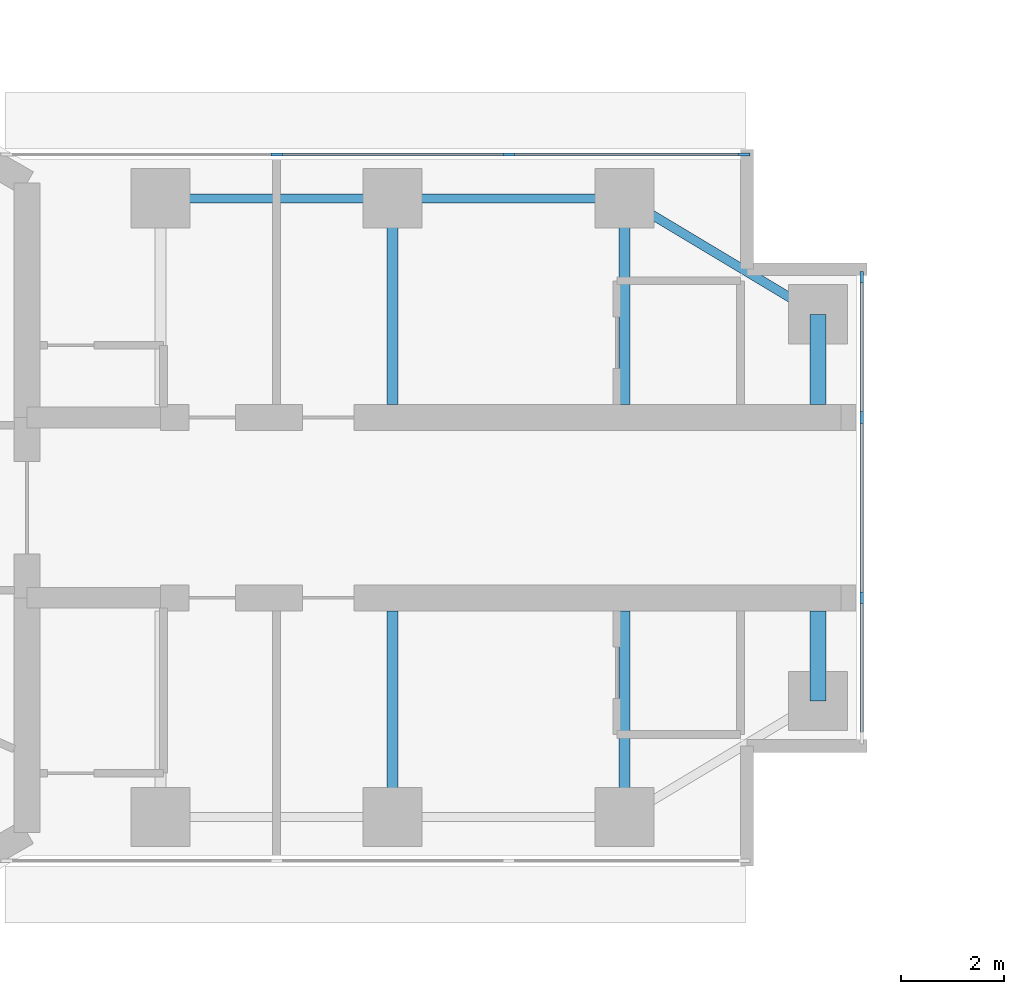
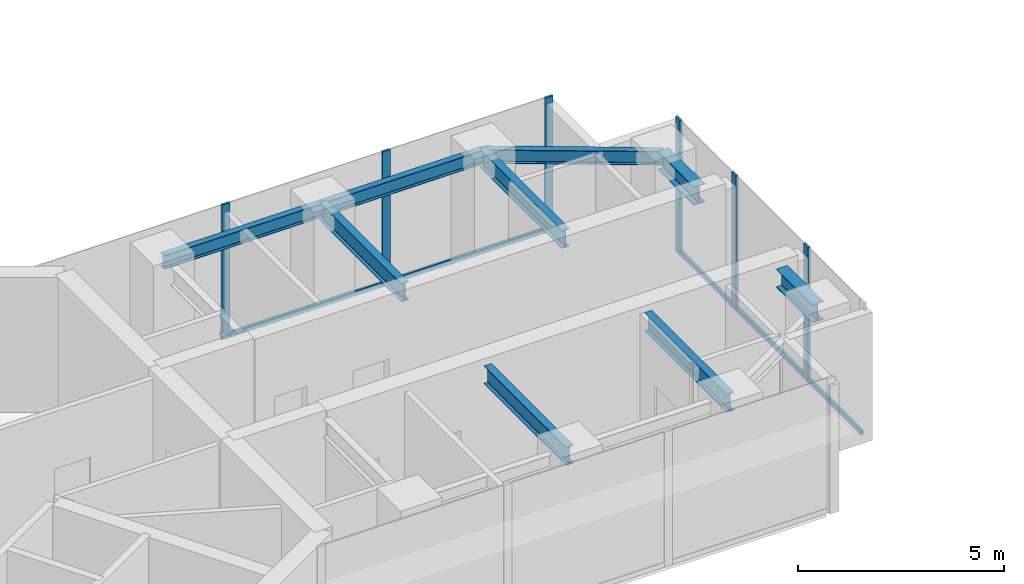
# One storey, part 7 of 17: 11 members, 9 beams, 2 elements without a shape of their own.
"""IFC4 building model written with IfcOpenShell, lengths in metres."""

from ifc_helpers import new_model, si_unit, direction, frame, origin, origin_2d, place, context, subcontext, project, spatial, rectangle, i_section, extrude, material, material_profile, profile_set, type_object, element, aggregate, save


model = new_model("IFC4")

# Units and contexts
model_context = context("Model", 3, precision=1e-05, world=origin(), true_north=direction((0.0, 1.0)))
body_context = subcontext(model_context, "Body", "Model", "MODEL_VIEW")
ifc_project = project(units=[si_unit("LENGTHUNIT", "METRE"), si_unit("AREAUNIT", "SQUARE_METRE"), si_unit("VOLUMEUNIT", "CUBIC_METRE"), si_unit("PLANEANGLEUNIT", "RADIAN"), si_unit("MASSUNIT", "GRAM", prefix="KILO")], contexts=[model_context])

# Site, building, storey
site_placement = place(None, origin())
site = spatial("IfcSite", under=ifc_project, at=site_placement, CompositionType="ELEMENT")
building_placement = place(site_placement, origin())
building = spatial("IfcBuilding", under=site, at=building_placement, Name="Upepo Twin Towers", CompositionType="ELEMENT")
storey_placement = place(building_placement, frame((0.0, 0.0, 202.5)))
storey = spatial("IfcBuildingStorey", under=building, at=storey_placement, Name="L49", CompositionType="ELEMENT", Elevation=202.5)

# Beams
ifc_material_1 = material(Name="Steel S355", Category="steel")
ifc_material_profile_1 = material_profile(ifc_material_1, i_section(OverallWidth=0.177978515625, OverallDepth=0.406494140625, WebThickness=0.0078125, FlangeThickness=0.0126953125, FilletRadius=0.01025390625, at=origin_2d()), Name="UB 406x178x60")
ifc_profile_set_1 = profile_set([ifc_material_profile_1], Name="Steel S355")
beam_type_1 = type_object("IfcBeamType", Name="Beam UB 406x178x60", PredefinedType="BEAM", material=ifc_profile_set_1)
for number, where, z_axis, x_axis, name in (
    (1, (13.5, 6.0, 3.5966796875), (1.0, 0.0, 0.0), (0.0, 1.0, 0.0), "T1 edge beam AL 13.5-18.0"),
    (2, (18.0, 6.0, 3.5966796875), (1.0, 0.0, 0.0), (0.0, 1.0, 0.0), "T1 edge beam AL 18.0-22.5"),
):
    element("IfcBeam", number, at=place(storey_placement, frame(where, z_axis=z_axis, x_axis=x_axis)), inside=storey, type_object=beam_type_1, Name=name, PredefinedType="BEAM", context=body_context, shape_type="SweptSolid", body=[
        extrude(i_section(OverallWidth=0.177978515625, OverallDepth=0.406494140625, WebThickness=0.0078125, FlangeThickness=0.0126953125, FilletRadius=0.01025390625, at=origin_2d()), origin(), (0.0, 0.0, 1.0), 4.5),
    ])
beam_placement = place(storey_placement, frame((22.5, 6.0, 3.5966796875), z_axis=(0.857492925713, -0.514495755428, 0.0), x_axis=(0.514495755428, 0.857492925713, 0.0)))
element("IfcBeam", 3, at=beam_placement, inside=storey, type_object=beam_type_1, Name="T1 nose edge beam AL", PredefinedType="BEAM", context=body_context, shape_type="SweptSolid", body=[
    extrude(i_section(OverallWidth=0.177978515625, OverallDepth=0.406494140625, WebThickness=0.0078125, FlangeThickness=0.0126953125, FilletRadius=0.01025390625, at=origin_2d()), origin(), (0.0, 0.0, 1.0), 4.373291015625),
])
ifc_material_2 = material(Name="Steel S355", Category="steel")
ifc_material_profile_2 = material_profile(ifc_material_2, i_section(OverallWidth=0.209228515625, OverallDepth=0.533203125, WebThickness=0.010009765625, FlangeThickness=0.015625, FilletRadius=0.0126953125, at=origin_2d()), Name="UB 533x210x92")
ifc_profile_set_2 = profile_set([ifc_material_profile_2], Name="Steel S355")
beam_type_2 = type_object("IfcBeamType", Name="Beam UB 533x210x92", PredefinedType="BEAM", material=ifc_profile_set_2)
for number, where, z_axis, x_axis, name in (
    (4, (18.0, 6.0, 3.533447265625), (0.0, -1.0, 0.0), (1.0, 0.0, 0.0), "T1 girder AL at 18.0"),
    (5, (22.5, 6.0, 3.533447265625), (0.0, -1.0, 0.0), (1.0, 0.0, 0.0), "T1 girder AL at 22.5"),
    (6, (18.0, -6.0, 3.533447265625), (0.0, 1.0, 0.0), (-1.0, 0.0, 0.0), "T1 girder AR at 18.0"),
    (7, (22.5, -6.0, 3.533447265625), (0.0, 1.0, 0.0), (-1.0, 0.0, 0.0), "T1 girder AR at 22.5"),
):
    element("IfcBeam", number, at=place(storey_placement, frame(where, z_axis=z_axis, x_axis=x_axis)), inside=storey, type_object=beam_type_2, Name=name, PredefinedType="BEAM", context=body_context, shape_type="SweptSolid", body=[
        extrude(i_section(OverallWidth=0.209228515625, OverallDepth=0.533203125, WebThickness=0.010009765625, FlangeThickness=0.015625, FilletRadius=0.0126953125, at=origin_2d()), origin(), (0.0, 0.0, 1.0), 4.0),
    ])
ifc_material_3 = material(Name="Steel S355", Category="steel")
ifc_material_profile_3 = material_profile(ifc_material_3, i_section(OverallWidth=0.31201171875, OverallDepth=0.54345703125, WebThickness=0.0126953125, FlangeThickness=0.020263671875, FilletRadius=0.0126953125, at=origin_2d()), Name="UB 533x312x150")
ifc_profile_set_3 = profile_set([ifc_material_profile_3], Name="Steel S355")
beam_type_3 = type_object("IfcBeamType", Name="Beam UB 533x312x150", PredefinedType="BEAM", material=ifc_profile_set_3)
for number, where, z_axis, x_axis, name in (
    (8, (26.25, 3.75, 3.5283203125), (0.0, -1.0, 0.0), (1.0, 0.0, 0.0), "T1 nose beam AL"),
    (9, (26.25, -3.75, 3.5283203125), (0.0, 1.0, 0.0), (-1.0, 0.0, 0.0), "T1 nose beam AR"),
):
    element("IfcBeam", number, at=place(storey_placement, frame(where, z_axis=z_axis, x_axis=x_axis)), inside=storey, type_object=beam_type_3, Name=name, PredefinedType="BEAM", context=body_context, shape_type="SweptSolid", body=[
        extrude(i_section(OverallWidth=0.31201171875, OverallDepth=0.54345703125, WebThickness=0.0126953125, FlangeThickness=0.020263671875, FilletRadius=0.0126953125, at=origin_2d()), origin(), (0.0, 0.0, 1.0), 1.75),
    ])

# Curtain wall, members
ifc_material_4 = material(Name="Aluminium and fritted glass", Category="aluminium")
curtain_wall_type = type_object("IfcCurtainWallType", Name="Tower curtain wall TW3, fritted glass", PredefinedType="NOTDEFINED", material=ifc_material_4)
curtain_wall_1_placement = place(storey_placement, origin())
curtain_wall_1 = element("IfcCurtainWall", 10, at=curtain_wall_1_placement, inside=storey, type_object=curtain_wall_type, Name="T1 L49 wing A flank L curtain wall", PredefinedType="NOTDEFINED")
ifc_material_5 = material(Name="Aluminium mullion", Category="aluminium")
ifc_material_profile_4 = material_profile(ifc_material_5, rectangle(XDim=0.06494140625, YDim=0.22509765625, at=origin_2d()), Name="MULLION 65x225")
ifc_profile_set_4 = profile_set([ifc_material_profile_4], Name="Aluminium mullion")
member_type_1 = type_object("IfcMemberType", Name="Mullion 65x225 TW3", PredefinedType="MULLION", material=ifc_profile_set_4)
member_1_placement = place(storey_placement, frame((15.75, 6.85009765625, 0.0), z_axis=(0.0, 0.0, 1.0), x_axis=(0.0, 1.0, 0.0)))
member_1 = element("IfcMember", 11, at=member_1_placement, type_object=member_type_1, Name="T1 L49 wing A flank L curtain wall mullion 2", PredefinedType="MULLION", context=body_context, shape_type="SweptSolid", body=[
    extrude(rectangle(XDim=0.06494140625, YDim=0.22509765625, at=origin_2d()), origin(), (0.0, 0.0, 1.0), 4.0),
])
member_2_placement = place(storey_placement, frame((20.25, 6.85009765625, 0.0), z_axis=(0.0, 0.0, 1.0), x_axis=(0.0, 1.0, 0.0)))
member_2 = element("IfcMember", 12, at=member_2_placement, type_object=member_type_1, Name="T1 L49 wing A flank L curtain wall mullion 3", PredefinedType="MULLION", context=body_context, shape_type="SweptSolid", body=[
    extrude(rectangle(XDim=0.06494140625, YDim=0.22509765625, at=origin_2d()), origin(), (0.0, 0.0, 1.0), 4.0),
])
member_3_placement = place(storey_placement, frame((24.8173828125, 6.85009765625, 0.0), z_axis=(0.0, 0.0, 1.0), x_axis=(0.0, 1.0, 0.0)))
member_3 = element("IfcMember", 13, at=member_3_placement, type_object=member_type_1, Name="T1 L49 wing A flank L curtain wall mullion 4", PredefinedType="MULLION", context=body_context, shape_type="SweptSolid", body=[
    extrude(rectangle(XDim=0.06494140625, YDim=0.22509765625, at=origin_2d()), origin(), (0.0, 0.0, 1.0), 4.0),
])

curtain_wall_2_placement = place(storey_placement, origin())
curtain_wall_2 = element("IfcCurtainWall", 14, at=curtain_wall_2_placement, inside=storey, type_object=curtain_wall_type, Name="T1 L49 wing A nose curtain wall", PredefinedType="NOTDEFINED")
member_4_placement = place(storey_placement, frame((27.10009765625, -1.75, 0.0), z_axis=(0.0, 0.0, 1.0), x_axis=(-1.0, 0.0, 0.0)))
member_4 = element("IfcMember", 15, at=member_4_placement, type_object=member_type_1, Name="T1 L49 wing A nose curtain wall mullion 2", PredefinedType="MULLION", context=body_context, shape_type="SweptSolid", body=[
    extrude(rectangle(XDim=0.06494140625, YDim=0.22509765625, at=origin_2d()), origin(), (0.0, 0.0, 1.0), 4.0),
])
member_5_placement = place(storey_placement, frame((27.10009765625, 1.75, 0.0), z_axis=(0.0, 0.0, 1.0), x_axis=(-1.0, 0.0, 0.0)))
member_5 = element("IfcMember", 16, at=member_5_placement, type_object=member_type_1, Name="T1 L49 wing A nose curtain wall mullion 3", PredefinedType="MULLION", context=body_context, shape_type="SweptSolid", body=[
    extrude(rectangle(XDim=0.06494140625, YDim=0.22509765625, at=origin_2d()), origin(), (0.0, 0.0, 1.0), 4.0),
])
member_6_placement = place(storey_placement, frame((27.10009765625, 4.467529296875, 0.0), z_axis=(0.0, 0.0, 1.0), x_axis=(-1.0, 0.0, 0.0)))
member_6 = element("IfcMember", 17, at=member_6_placement, type_object=member_type_1, Name="T1 L49 wing A nose curtain wall mullion 4", PredefinedType="MULLION", context=body_context, shape_type="SweptSolid", body=[
    extrude(rectangle(XDim=0.06494140625, YDim=0.22509765625, at=origin_2d()), origin(), (0.0, 0.0, 1.0), 4.0),
])

# Member
ifc_material_6 = material(Name="Aluminium transom", Category="aluminium")
ifc_material_profile_5 = material_profile(ifc_material_6, rectangle(XDim=0.06494140625, YDim=0.14990234375, at=origin_2d()), Name="TRANSOM 65x150")
ifc_profile_set_5 = profile_set([ifc_material_profile_5], Name="Aluminium transom")
member_type_2 = type_object("IfcMemberType", Name="Transom 65x150 TW3", PredefinedType="USERDEFINED", material=ifc_profile_set_5)
member_7_placement = place(storey_placement, frame((15.782470703125, 6.85009765625, 0.074951171875), z_axis=(1.0, 0.0, 0.0), x_axis=(0.0, 1.0, 0.0)))
member_7 = element("IfcMember", 18, at=member_7_placement, type_object=member_type_2, Name="T1 L49 wing A flank L curtain wall transom 2", ObjectType="TRANSOM", PredefinedType="USERDEFINED", context=body_context, shape_type="SweptSolid", body=[
    extrude(rectangle(XDim=0.06494140625, YDim=0.14990234375, at=origin_2d()), origin(), (0.0, 0.0, 1.0), 4.43505859375),
])

member_8_placement = place(storey_placement, frame((20.282470703125, 6.85009765625, 0.074951171875), z_axis=(1.0, 0.0, 0.0), x_axis=(0.0, 1.0, 0.0)))
member_8 = element("IfcMember", 19, at=member_8_placement, type_object=member_type_2, Name="T1 L49 wing A flank L curtain wall transom 3", ObjectType="TRANSOM", PredefinedType="USERDEFINED", context=body_context, shape_type="SweptSolid", body=[
    extrude(rectangle(XDim=0.06494140625, YDim=0.14990234375, at=origin_2d()), origin(), (0.0, 0.0, 1.0), 4.50244140625),
])

aggregate(curtain_wall_1, [member_1, member_2, member_3, member_7, member_8])

member_9_placement = place(storey_placement, frame((27.10009765625, -4.43505859375, 0.074951171875), z_axis=(0.0, 1.0, 0.0), x_axis=(-1.0, 0.0, 0.0)))
member_9 = element("IfcMember", 20, at=member_9_placement, type_object=member_type_2, Name="T1 L49 wing A nose curtain wall transom 1", ObjectType="TRANSOM", PredefinedType="USERDEFINED", context=body_context, shape_type="SweptSolid", body=[
    extrude(rectangle(XDim=0.06494140625, YDim=0.14990234375, at=origin_2d()), origin(), (0.0, 0.0, 1.0), 2.652587890625),
])

member_10_placement = place(storey_placement, frame((27.10009765625, -1.717529296875, 0.074951171875), z_axis=(0.0, 1.0, 0.0), x_axis=(-1.0, 0.0, 0.0)))
member_10 = element("IfcMember", 21, at=member_10_placement, type_object=member_type_2, Name="T1 L49 wing A nose curtain wall transom 2", ObjectType="TRANSOM", PredefinedType="USERDEFINED", context=body_context, shape_type="SweptSolid", body=[
    extrude(rectangle(XDim=0.06494140625, YDim=0.14990234375, at=origin_2d()), origin(), (0.0, 0.0, 1.0), 3.43505859375),
])

member_11_placement = place(storey_placement, frame((27.10009765625, 1.782470703125, 0.074951171875), z_axis=(0.0, 1.0, 0.0), x_axis=(-1.0, 0.0, 0.0)))
member_11 = element("IfcMember", 22, at=member_11_placement, type_object=member_type_2, Name="T1 L49 wing A nose curtain wall transom 3", ObjectType="TRANSOM", PredefinedType="USERDEFINED", context=body_context, shape_type="SweptSolid", body=[
    extrude(rectangle(XDim=0.06494140625, YDim=0.14990234375, at=origin_2d()), origin(), (0.0, 0.0, 1.0), 2.652587890625),
])

aggregate(curtain_wall_2, [member_4, member_5, member_6, member_9, member_10, member_11])

save(model, "model.ifc")
